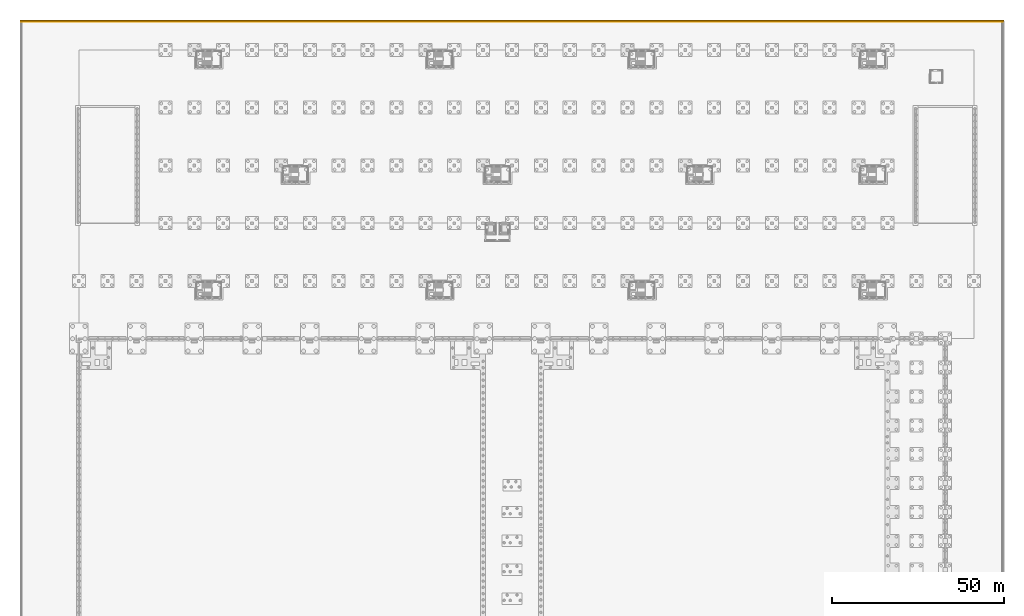
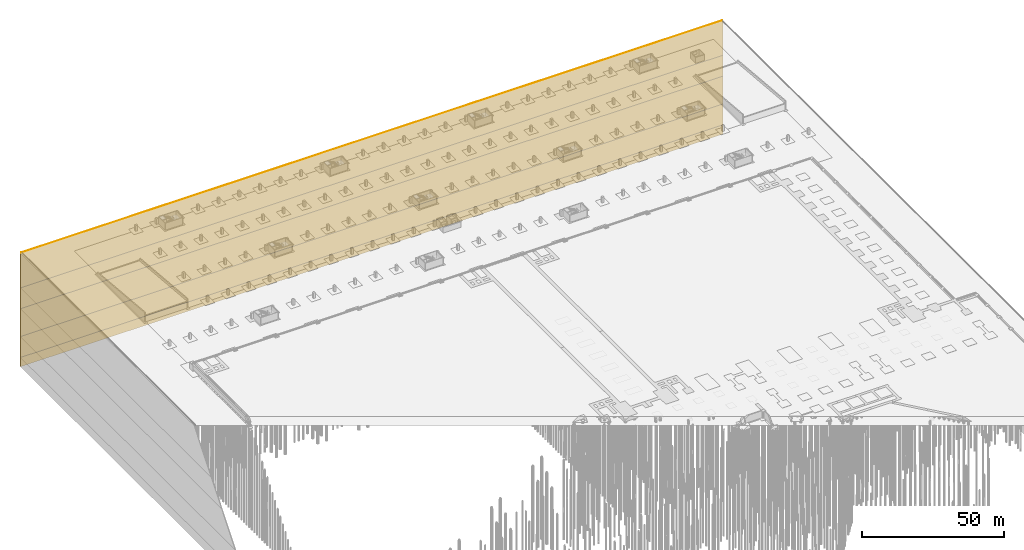
# One storey, part 64 of 67: 6 coverings.
"""IFC4 building model written with IfcOpenShell, lengths in metres."""

from ifc_helpers import new_model, si_unit, direction, frame, origin, origin_2d, place, context, subcontext, project, spatial, rectangle, extrude, material, layer, layer_set, type_object, element, save


model = new_model("IFC4")

# Units and contexts
model_context = context("Model", 3, precision=1e-05, world=origin(), true_north=direction((0.0, 1.0)))
body_context = subcontext(model_context, "Body", "Model", "MODEL_VIEW")
ifc_project = project(units=[si_unit("LENGTHUNIT", "METRE"), si_unit("AREAUNIT", "SQUARE_METRE"), si_unit("VOLUMEUNIT", "CUBIC_METRE"), si_unit("PLANEANGLEUNIT", "RADIAN"), si_unit("MASSUNIT", "GRAM", prefix="KILO")], contexts=[model_context])

# Site, building, storey
site_placement = place(None, origin())
site = spatial("IfcSite", under=ifc_project, at=site_placement, CompositionType="ELEMENT")
building_placement = place(site_placement, origin())
building = spatial("IfcBuilding", under=site, at=building_placement, Name="Rain Tree Exposition and Congress Centre", CompositionType="ELEMENT")
storey_placement = place(building_placement, frame((0.0, 0.0, -3.0)))
storey = spatial("IfcBuildingStorey", under=building, at=storey_placement, Name="B1", CompositionType="ELEMENT", Elevation=-3.0)

# Coverings
ifc_material_1 = material(Name="Granite", Category="masonry")
covering_type_1 = type_object("IfcCoveringType", Name="Granite kerb 200x150", PredefinedType="MOLDING", material=ifc_material_1)
covering_1_placement = place(storey_placement, frame((134.39990234375, 293.89990234375, 0.0), z_axis=(0.0, 0.0, 1.0), x_axis=(1.0, 0.0, 0.0)))
element("IfcCovering", 1, at=covering_1_placement, inside=storey, type_object=covering_type_1, Name="Boulevard kerb north", PredefinedType="MOLDING", context=body_context, shape_type="SweptSolid", body=[
    extrude(rectangle(XDim=285.60009765625, YDim=0.199951171875, at=origin_2d()), origin(), (0.0, 0.0, 1.0), 0.14990234375),
])
ifc_material_2 = material(Name="Soil-cement slurry", Category="soil")
ifc_layer = layer(ifc_material_2, 0.300048828125)
ifc_layer_set = layer_set([ifc_layer], Name="Soil-cement slurry")
covering_type_2 = type_object("IfcCoveringType", Name="Perimeter cut-off screen 300", PredefinedType="MEMBRANE", material=ifc_layer_set)
covering_2_placement = place(storey_placement, frame((134.39990234375, 294.14990234375, -15.0), z_axis=(0.0, 0.0, 1.0), x_axis=(1.0, 0.0, 0.0)))
element("IfcCovering", 2, at=covering_2_placement, inside=storey, type_object=covering_type_2, Name="Perimeter cut-off screen north, soft clay", PredefinedType="MEMBRANE", context=body_context, shape_type="SweptSolid", body=[
    extrude(rectangle(XDim=286.199951171875, YDim=0.300048828125, at=origin_2d()), origin(), (0.0, 0.0, 1.0), 15.0),
])
covering_3_placement = place(storey_placement, frame((134.39990234375, 294.14990234375, -24.0), z_axis=(0.0, 0.0, 1.0), x_axis=(1.0, 0.0, 0.0)))
element("IfcCovering", 3, at=covering_3_placement, inside=storey, type_object=covering_type_2, Name="Perimeter cut-off screen north, stiff clay", PredefinedType="MEMBRANE", context=body_context, shape_type="SweptSolid", body=[
    extrude(rectangle(XDim=286.199951171875, YDim=0.300048828125, at=origin_2d()), origin(), (0.0, 0.0, 1.0), 9.0),
])
covering_4_placement = place(storey_placement, frame((134.39990234375, 294.14990234375, -36.0), z_axis=(0.0, 0.0, 1.0), x_axis=(1.0, 0.0, 0.0)))
element("IfcCovering", 4, at=covering_4_placement, inside=storey, type_object=covering_type_2, Name="Perimeter cut-off screen north, first dense sand", PredefinedType="MEMBRANE", context=body_context, shape_type="SweptSolid", body=[
    extrude(rectangle(XDim=286.199951171875, YDim=0.300048828125, at=origin_2d()), origin(), (0.0, 0.0, 1.0), 12.0),
])
covering_5_placement = place(storey_placement, frame((134.39990234375, 294.14990234375, -45.0), z_axis=(0.0, 0.0, 1.0), x_axis=(1.0, 0.0, 0.0)))
element("IfcCovering", 5, at=covering_5_placement, inside=storey, type_object=covering_type_2, Name="Perimeter cut-off screen north, hard clay", PredefinedType="MEMBRANE", context=body_context, shape_type="SweptSolid", body=[
    extrude(rectangle(XDim=286.199951171875, YDim=0.300048828125, at=origin_2d()), origin(), (0.0, 0.0, 1.0), 9.0),
])
covering_6_placement = place(storey_placement, frame((134.39990234375, 294.14990234375, -49.0), z_axis=(0.0, 0.0, 1.0), x_axis=(1.0, 0.0, 0.0)))
element("IfcCovering", 6, at=covering_6_placement, inside=storey, type_object=covering_type_2, Name="Perimeter cut-off screen north, second dense sand", PredefinedType="MEMBRANE", context=body_context, shape_type="SweptSolid", body=[
    extrude(rectangle(XDim=286.199951171875, YDim=0.300048828125, at=origin_2d()), origin(), (0.0, 0.0, 1.0), 4.0),
])

save(model, "model.ifc")
